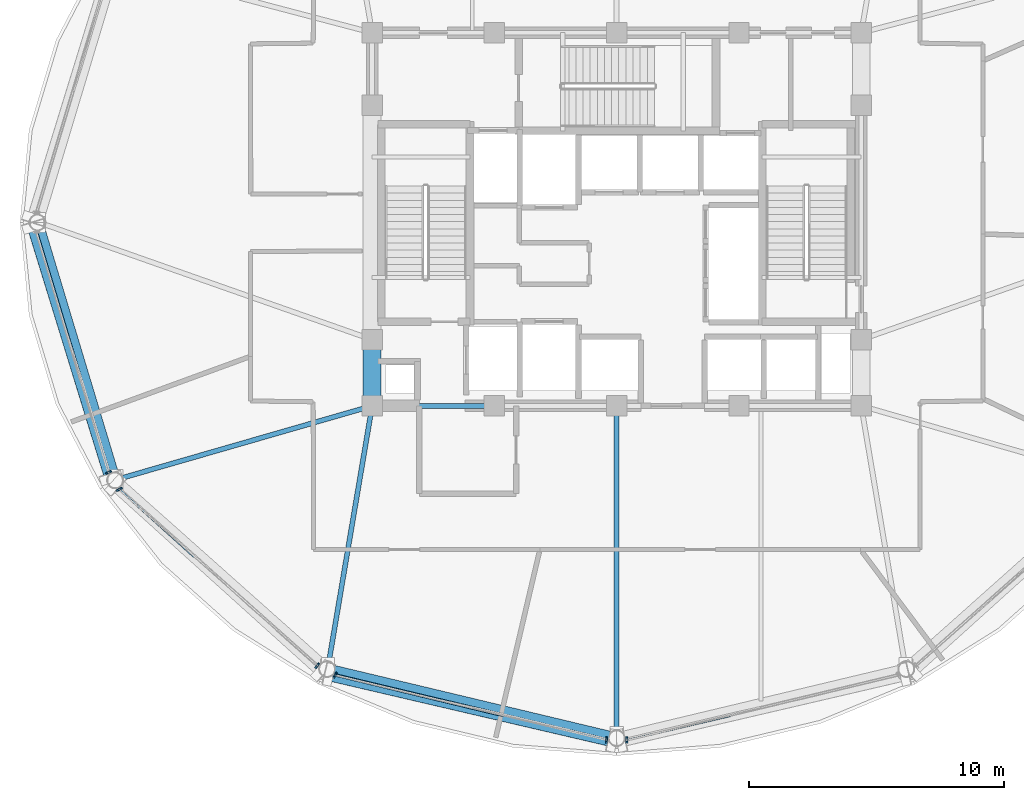
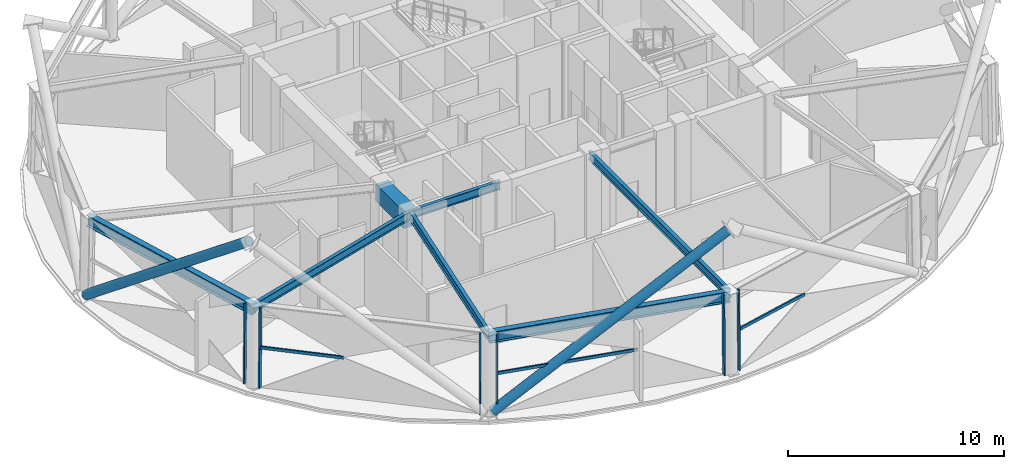
# One storey, part 2 of 16: 11 members, 7 beams, 4 elements without a shape of their own.
"""IFC4 building model written with IfcOpenShell, lengths in metres."""

from ifc_helpers import new_model, si_unit, direction, frame, origin, origin_2d, place, context, subcontext, project, spatial, rectangle, hollow_rectangle, hollow_circle, i_section, extrude, material, layer, layer_set, material_profile, profile_set, type_object, element, aggregate, save


model = new_model("IFC4")

# Units and contexts
model_context = context("Model", 3, precision=1e-05, world=origin(), true_north=direction((0.0, 1.0)))
body_context = subcontext(model_context, "Body", "Model", "MODEL_VIEW")
ifc_project = project(units=[si_unit("LENGTHUNIT", "METRE"), si_unit("AREAUNIT", "SQUARE_METRE"), si_unit("VOLUMEUNIT", "CUBIC_METRE"), si_unit("PLANEANGLEUNIT", "RADIAN"), si_unit("MASSUNIT", "GRAM", prefix="KILO")], contexts=[model_context])

# Site, building, storey
site_placement = place(None, origin())
site = spatial("IfcSite", under=ifc_project, at=site_placement, CompositionType="ELEMENT")
building_placement = place(site_placement, origin())
building = spatial("IfcBuilding", under=site, at=building_placement, Name="Vantalir Tower", CompositionType="ELEMENT")
storey_placement = place(building_placement, frame((0.0, 0.0, 181.35009765625)))
storey = spatial("IfcBuildingStorey", under=building, at=storey_placement, Name="L45", CompositionType="ELEMENT", Elevation=181.35009765625)

# Beams
ifc_material_1 = material(Name="Concrete C60/75", Category="concrete")
ifc_material_profile_1 = material_profile(ifc_material_1, rectangle(XDim=0.699951171875, YDim=0.949951171875, at=origin_2d()), Name="Concrete C60/75")
ifc_profile_set_1 = profile_set([ifc_material_profile_1], Name="Concrete C60/75")
beam_type_1 = type_object("IfcBeamType", Name="BM-CB-700x950", PredefinedType="USERDEFINED", material=ifc_profile_set_1)
beam_1_placement = place(storey_placement, frame((21.89990234375, 20.39990234375, 4.14501953125), z_axis=(0.0, -1.0, 0.0), x_axis=(1.0, 0.0, 0.0)))
element("IfcBeam", 1, at=beam_1_placement, inside=storey, type_object=beam_type_1, Name="L45 Core Coupling Girder 14", ObjectType="GIRDER", PredefinedType="USERDEFINED", context=body_context, shape_type="SweptSolid", body=[
    extrude(rectangle(XDim=0.699951171875, YDim=0.949951171875, at=origin_2d()), origin(), (0.0, 0.0, 1.0), 2.599853515625),
])
ifc_material_2 = material(Name="Steel S355", Category="steel")
ifc_material_profile_2 = material_profile(ifc_material_2, i_section(OverallWidth=0.19189453125, OverallDepth=0.462890625, WebThickness=0.010498046875, FlangeThickness=0.017578125, at=origin_2d()), Name="Steel S355")
ifc_profile_set_2 = profile_set([ifc_material_profile_2], Name="Steel S355")
beam_type_2 = type_object("IfcBeamType", Name="BM-RB-457x191", PredefinedType="BEAM", material=ifc_profile_set_2)
beam_2_placement = place(storey_placement, frame((21.89990234375, 17.800048828125, 4.387939453125), z_axis=(1.0, 0.0, 0.0), x_axis=(0.0, 1.0, 0.0)))
element("IfcBeam", 2, at=beam_2_placement, inside=storey, type_object=beam_type_2, Name="L45 Core Coupling Girder 01", PredefinedType="BEAM", context=body_context, shape_type="SweptSolid", body=[
    extrude(i_section(OverallWidth=0.19189453125, OverallDepth=0.462890625, WebThickness=0.010498046875, FlangeThickness=0.017578125, at=origin_2d()), origin(), (0.0, 0.0, 1.0), 4.800048828125),
])
beam_3_placement = place(storey_placement, frame((11.862060546875, 14.906005859375, 4.387939453125), z_axis=(0.960861521684, 0.277029125089, 0.0), x_axis=(-0.277029125089, 0.960861521684, 0.0)))
element("IfcBeam", 3, at=beam_3_placement, inside=storey, type_object=beam_type_2, Name="L45 Radial Floor Beam 08", PredefinedType="BEAM", context=body_context, shape_type="SweptSolid", body=[
    extrude(i_section(OverallWidth=0.19189453125, OverallDepth=0.462890625, WebThickness=0.010498046875, FlangeThickness=0.017578125, at=origin_2d()), origin(), (0.0, 0.0, 1.0), 10.44677734375),
])
beam_4_placement = place(storey_placement, frame((20.162109375, 7.51708984375, 4.387939453125), z_axis=(0.166634565595, 0.986018722717, 0.0), x_axis=(-0.986018722717, 0.166634565595, 0.0)))
element("IfcBeam", 4, at=beam_4_placement, inside=storey, type_object=beam_type_2, Name="L45 Radial Floor Beam 09", PredefinedType="BEAM", context=body_context, shape_type="SweptSolid", body=[
    extrude(i_section(OverallWidth=0.19189453125, OverallDepth=0.462890625, WebThickness=0.010498046875, FlangeThickness=0.017578125, at=origin_2d()), origin(), (0.0, 0.0, 1.0), 10.4287109375),
])
beam_5_placement = place(storey_placement, frame((31.5, 4.81201171875, 4.387939453125), z_axis=(0.0, 1.0, 0.0), x_axis=(-1.0, 0.0, 0.0)))
element("IfcBeam", 5, at=beam_5_placement, inside=storey, type_object=beam_type_2, Name="L45 Radial Floor Beam 10", PredefinedType="BEAM", context=body_context, shape_type="SweptSolid", body=[
    extrude(i_section(OverallWidth=0.19189453125, OverallDepth=0.462890625, WebThickness=0.010498046875, FlangeThickness=0.017578125, at=origin_2d()), origin(), (0.0, 0.0, 1.0), 12.988037109375),
])
ifc_material_3 = material(Name="Steel S460", Category="steel")
ifc_material_profile_3 = material_profile(ifc_material_3, i_section(OverallWidth=0.306884765625, OverallDepth=0.6201171875, WebThickness=0.01416015625, FlangeThickness=0.023681640625, at=origin_2d()), Name="Steel S460")
ifc_profile_set_3 = profile_set([ifc_material_profile_3], Name="Steel S460")
beam_type_3 = type_object("IfcBeamType", Name="BM-RG-610x305", PredefinedType="USERDEFINED", material=ifc_profile_set_3)
beam_6_placement = place(storey_placement, frame((8.823974609375, 25.0, 4.309814453125), z_axis=(0.288208317462, -0.957567734286, 0.0), x_axis=(0.957567734286, 0.288208317462, 0.0)))
element("IfcBeam", 6, at=beam_6_placement, inside=storey, type_object=beam_type_3, Name="L45 Circumferential Ring Girder 07", ObjectType="GIRDER", PredefinedType="USERDEFINED", context=body_context, shape_type="SweptSolid", body=[
    extrude(i_section(OverallWidth=0.306884765625, OverallDepth=0.6201171875, WebThickness=0.01416015625, FlangeThickness=0.023681640625, at=origin_2d()), origin(), (0.0, 0.0, 1.0), 10.541259765625),
])
beam_7_placement = place(storey_placement, frame((20.162109375, 7.51708984375, 4.309814453125), z_axis=(0.972698236559, -0.232073567206, 0.0), x_axis=(0.232073567206, 0.972698236559, 0.0)))
element("IfcBeam", 7, at=beam_7_placement, inside=storey, type_object=beam_type_3, Name="L45 Circumferential Ring Girder 09", ObjectType="GIRDER", PredefinedType="USERDEFINED", context=body_context, shape_type="SweptSolid", body=[
    extrude(i_section(OverallWidth=0.306884765625, OverallDepth=0.6201171875, WebThickness=0.01416015625, FlangeThickness=0.023681640625, at=origin_2d()), origin(), (0.0, 0.0, 1.0), 11.656005859375),
])

# Curtain wall, member
ifc_material_4 = material(Name="Champagne-silver PVDF aluminium and double-silver Low-E glass", Category="aluminium")
ifc_layer = layer(ifc_material_4, 0.22998046875)
ifc_layer_set = layer_set([ifc_layer], Name="Champagne-silver PVDF aluminium and double-silver Low-E glass")
curtain_wall_type = type_object("IfcCurtainWallType", Name="CW-SKYLOBBY", PredefinedType="USERDEFINED", material=ifc_layer_set)
curtain_wall_1_placement = place(storey_placement, origin())
curtain_wall_1 = element("IfcCurtainWall", 8, at=curtain_wall_1_placement, inside=storey, type_object=curtain_wall_type, Name="L45 Quilted Pyramid-Diamond Curtain Wall S07", ObjectType="UNITISED CURTAIN WALL", PredefinedType="USERDEFINED")
ifc_material_5 = material(Name="Champagne-silver PVDF aluminium 6063-T6", Category="aluminium")
ifc_material_profile_4 = material_profile(ifc_material_5, hollow_rectangle(XDim=0.074951171875, YDim=0.179931640625, WallThickness=0.00390625, at=origin_2d()), Name="Champagne-silver PVDF aluminium 6063-T6")
ifc_profile_set_4 = profile_set([ifc_material_profile_4], Name="Champagne-silver PVDF aluminium 6063-T6")
member_type_1 = type_object("IfcMemberType", Name="CWM-180x75", PredefinedType="MULLION", material=ifc_profile_set_4)
member_1_placement = place(storey_placement, frame((11.514892578125, 15.1708984375, 0.044921875), z_axis=(0.014172272862, 0.007328627792, 0.999872710847), x_axis=(-0.459331035001, 0.888265163273, 0.0)))
member_1 = element("IfcMember", 9, at=member_1_placement, type_object=member_type_1, Name="CW-L45-S07 Mullion 2", PredefinedType="MULLION", context=body_context, shape_type="SweptSolid", body=[
    extrude(hollow_rectangle(XDim=0.074951171875, YDim=0.179931640625, WallThickness=0.00390625, at=origin_2d()), origin(), (0.0, 0.0, 1.0), 4.530517578125),
])
aggregate(curtain_wall_1, [member_1])

# Curtain wall, members
curtain_wall_2_placement = place(storey_placement, origin())
curtain_wall_2 = element("IfcCurtainWall", 10, at=curtain_wall_2_placement, inside=storey, type_object=curtain_wall_type, Name="L45 Quilted Pyramid-Diamond Curtain Wall S08", ObjectType="UNITISED CURTAIN WALL", PredefinedType="USERDEFINED")
member_2_placement = place(storey_placement, frame((11.93896484375, 14.5048828125, 0.044921875), z_axis=(0.014118396655, 0.007328633378, 0.999873473), x_axis=(-0.460712643136, 0.88754935663, 0.0)))
member_2 = element("IfcMember", 11, at=member_2_placement, type_object=member_type_1, Name="CW-L45-S08 Mullion 1", PredefinedType="MULLION", context=body_context, shape_type="SweptSolid", body=[
    extrude(hollow_rectangle(XDim=0.074951171875, YDim=0.179931640625, WallThickness=0.00390625, at=origin_2d()), origin(), (0.0, 0.0, 1.0), 4.530517578125),
])
member_3_placement = place(storey_placement, frame((19.72412109375, 7.568115234375, 0.044921875), z_axis=(0.008137057264, 0.012555856573, 0.999888063117), x_axis=(-0.839183426584, 0.543848486756, 0.0)))
member_3 = element("IfcMember", 12, at=member_3_placement, type_object=member_type_1, Name="CW-L45-S08 Mullion 2", PredefinedType="MULLION", context=body_context, shape_type="SweptSolid", body=[
    extrude(hollow_rectangle(XDim=0.074951171875, YDim=0.179931640625, WallThickness=0.00390625, at=origin_2d()), origin(), (0.0, 0.0, 1.0), 4.530517578125),
])

curtain_wall_3_placement = place(storey_placement, origin())
curtain_wall_3 = element("IfcCurtainWall", 13, at=curtain_wall_3_placement, inside=storey, type_object=curtain_wall_type, Name="L45 Quilted Pyramid-Diamond Curtain Wall S09", ObjectType="UNITISED CURTAIN WALL", PredefinedType="USERDEFINED")
member_4_placement = place(storey_placement, frame((20.428955078125, 7.199951171875, 0.044921875), z_axis=(0.008190935903, 0.012609730271, 0.999886945245), x_axis=(-0.838607336961, 0.544736389821, 0.0)))
member_4 = element("IfcMember", 14, at=member_4_placement, type_object=member_type_1, Name="CW-L45-S09 Mullion 1", PredefinedType="MULLION", context=body_context, shape_type="SweptSolid", body=[
    extrude(hollow_rectangle(XDim=0.074951171875, YDim=0.179931640625, WallThickness=0.00390625, at=origin_2d()), origin(), (0.0, 0.0, 1.0), 4.530517578125),
])
member_5_placement = place(storey_placement, frame((31.10107421875, 4.65087890625, 0.044921875), z_axis=(0.0, 0.01460367021, 0.999893360722), x_axis=(-1.0, 0.0, 0.0)))
member_5 = element("IfcMember", 15, at=member_5_placement, type_object=member_type_1, Name="CW-L45-S09 Mullion 2", PredefinedType="MULLION", context=body_context, shape_type="SweptSolid", body=[
    extrude(hollow_rectangle(XDim=0.074951171875, YDim=0.179931640625, WallThickness=0.00390625, at=origin_2d()), origin(), (0.0, 0.0, 1.0), 4.530517578125),
])

# Curtain wall, member
curtain_wall_4_placement = place(storey_placement, origin())
curtain_wall_4 = element("IfcCurtainWall", 16, at=curtain_wall_4_placement, inside=storey, type_object=curtain_wall_type, Name="L45 Quilted Pyramid-Diamond Curtain Wall S10", ObjectType="UNITISED CURTAIN WALL", PredefinedType="USERDEFINED")
member_6_placement = place(storey_placement, frame((31.89892578125, 4.65087890625, 0.044921875), z_axis=(0.0, 0.01460367021, 0.999893360722), x_axis=(-1.0, 0.0, 0.0)))
member_6 = element("IfcMember", 17, at=member_6_placement, type_object=member_type_1, Name="CW-L45-S10 Mullion 1", PredefinedType="MULLION", context=body_context, shape_type="SweptSolid", body=[
    extrude(hollow_rectangle(XDim=0.074951171875, YDim=0.179931640625, WallThickness=0.00390625, at=origin_2d()), origin(), (0.0, 0.0, 1.0), 4.530517578125),
])

# Member
ifc_material_profile_5 = material_profile(ifc_material_5, hollow_rectangle(XDim=0.074951171875, YDim=0.159912109375, WallThickness=0.00390625, at=origin_2d()), Name="Champagne-silver PVDF aluminium 6063-T6")
ifc_profile_set_5 = profile_set([ifc_material_profile_5], Name="Champagne-silver PVDF aluminium 6063-T6")
member_type_2 = type_object("IfcMemberType", Name="CWT-160x75", PredefinedType="USERDEFINED", material=ifc_profile_set_5)
member_7_placement = place(storey_placement, frame((11.970947265625, 14.52197265625, 2.309814453125), z_axis=(0.742501034701, -0.669844917476, 0.0), x_axis=(0.669844917476, 0.742501034701, 0.0)))
member_7 = element("IfcMember", 18, at=member_7_placement, type_object=member_type_2, Name="CW-L45-S08 Pyramid Fold Ridge Transom", ObjectType="TRANSOM", PredefinedType="USERDEFINED", context=body_context, shape_type="SweptSolid", body=[
    extrude(hollow_rectangle(XDim=0.074951171875, YDim=0.159912109375, WallThickness=0.00390625, at=origin_2d()), origin(), (0.0, 0.0, 1.0), 3.95166015625),
])

aggregate(curtain_wall_2, [member_2, member_3, member_7])

member_8_placement = place(storey_placement, frame((20.447021484375, 7.22802734375, 2.309814453125), z_axis=(0.971847611335, -0.235610314592, 0.0), x_axis=(0.235610314592, 0.971847611335, 0.0)))
member_8 = element("IfcMember", 19, at=member_8_placement, type_object=member_type_2, Name="CW-L45-S09 Pyramid Fold Ridge Transom", ObjectType="TRANSOM", PredefinedType="USERDEFINED", context=body_context, shape_type="SweptSolid", body=[
    extrude(hollow_rectangle(XDim=0.074951171875, YDim=0.159912109375, WallThickness=0.00390625, at=origin_2d()), origin(), (0.0, 0.0, 1.0), 6.791259765625),
])

aggregate(curtain_wall_3, [member_4, member_5, member_8])

member_9_placement = place(storey_placement, frame((31.89892578125, 4.68408203125, 2.309814453125), z_axis=(0.973951419069, 0.226756771221, 0.0), x_axis=(-0.226756771221, 0.973951419069, 0.0)))
member_9 = element("IfcMember", 20, at=member_9_placement, type_object=member_type_2, Name="CW-L45-S10 Pyramid Fold Ridge Transom", ObjectType="TRANSOM", PredefinedType="USERDEFINED", context=body_context, shape_type="SweptSolid", body=[
    extrude(hollow_rectangle(XDim=0.074951171875, YDim=0.159912109375, WallThickness=0.00390625, at=origin_2d()), origin(), (0.0, 0.0, 1.0), 4.162353515625),
])

aggregate(curtain_wall_4, [member_6, member_9])

# Members
ifc_material_profile_6 = material_profile(ifc_material_3, hollow_circle(Radius=0.25, WallThickness=0.031982421875, at=origin_2d()), Name="Steel S460")
ifc_profile_set_6 = profile_set([ifc_material_profile_6], Name="Steel S460")
member_type_3 = type_object("IfcMemberType", Name="MEM-DB-500x32", PredefinedType="BRACE", material=ifc_profile_set_6)
member_10_placement = place(storey_placement, frame((8.611083984375, 24.8330078125, 0.2138671875), z_axis=(0.233172865304, -0.757159993634, 0.610196000419), x_axis=(0.955707824587, 0.294317097742, 0.0)))
element("IfcMember", 21, at=member_10_placement, inside=storey, type_object=member_type_3, Name="L45 Perimeter S460 Diagrid Brace R19L", PredefinedType="BRACE", context=body_context, shape_type="SweptSolid", body=[
    extrude(hollow_circle(Radius=0.25, WallThickness=0.031982421875, at=origin_2d()), origin(), (0.0, 0.0, 1.0), 13.015625),
])
member_11_placement = place(storey_placement, frame((20.2060546875, 7.25390625, 0.205810546875), z_axis=(0.798940363931, -0.186177894597, 0.571867193014), x_axis=(0.226950391239, 0.973906319887, 0.0)))
element("IfcMember", 22, at=member_11_placement, inside=storey, type_object=member_type_3, Name="L45 Perimeter S460 Diagrid Brace R25L", PredefinedType="BRACE", context=body_context, shape_type="SweptSolid", body=[
    extrude(hollow_circle(Radius=0.25, WallThickness=0.031982421875, at=origin_2d()), origin(), (0.0, 0.0, 1.0), 13.915771484375),
])

save(model, "model.ifc")
